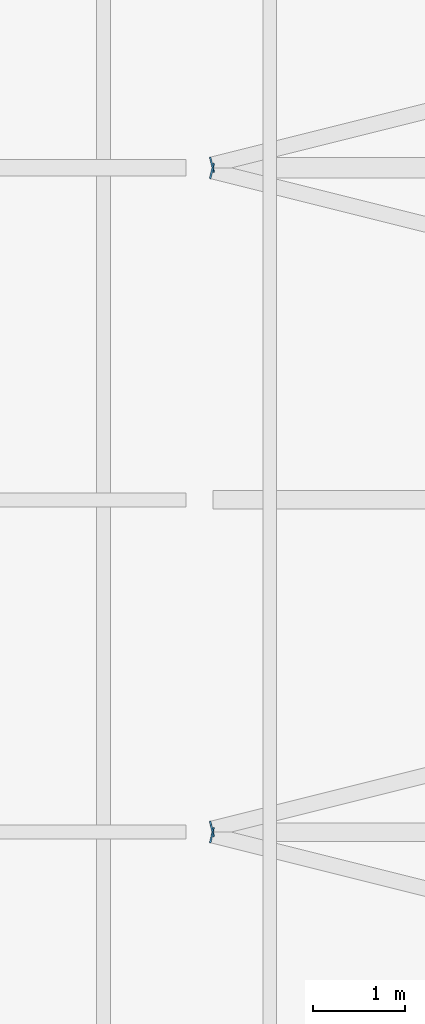
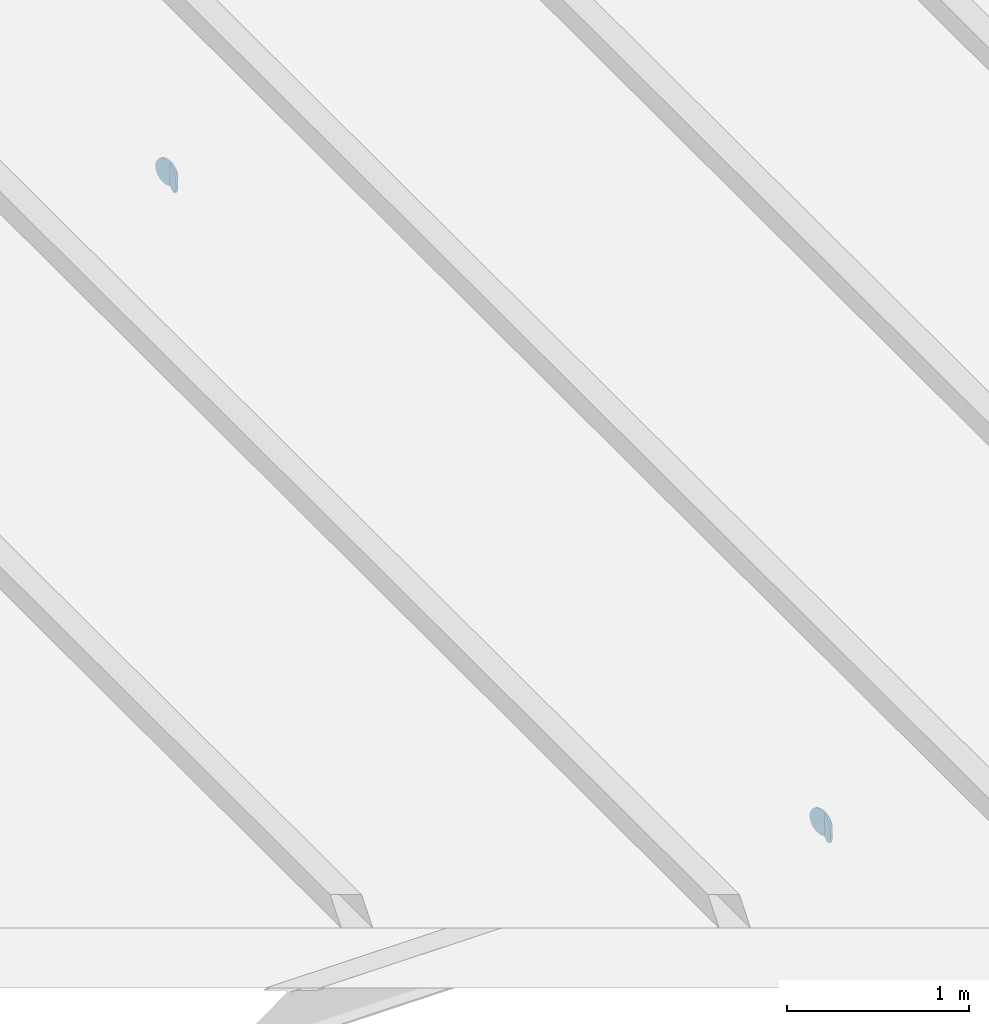
# One storey, part 69 of 120: 4 discrete accessories.
"""IFC4 building model written with IfcOpenShell, lengths in metres."""

from ifc_helpers import new_model, si_unit, direction, frame, origin, origin_2d, place, context, subcontext, project, spatial, circle, extrude, material, layer, layer_set, type_object, element, save


model = new_model("IFC4")

# Units and contexts
model_context = context("Model", 3, precision=1e-05, world=origin(), true_north=direction((0.0, 1.0)))
body_context = subcontext(model_context, "Body", "Model", "MODEL_VIEW")
ifc_project = project(units=[si_unit("LENGTHUNIT", "METRE"), si_unit("AREAUNIT", "SQUARE_METRE"), si_unit("VOLUMEUNIT", "CUBIC_METRE"), si_unit("PLANEANGLEUNIT", "RADIAN"), si_unit("MASSUNIT", "GRAM", prefix="KILO")], contexts=[model_context])

# Site, building, storey
site_placement = place(None, origin())
site = spatial("IfcSite", under=ifc_project, at=site_placement, CompositionType="ELEMENT")
building_placement = place(site_placement, origin())
building = spatial("IfcBuilding", under=site, at=building_placement, Name="Kupolbacken Congress Centre", CompositionType="ELEMENT")
storey_placement = place(building_placement, frame((0.0, 0.0, 21.60009765625)))
storey = spatial("IfcBuildingStorey", under=building, at=storey_placement, Name="L06", CompositionType="ELEMENT", Elevation=21.60009765625)

# Discrete accessories
ifc_material = material(Name="Steel S355", Category="steel")
ifc_layer = layer(ifc_material, 0.011962890625)
ifc_layer_set = layer_set([ifc_layer], Name="Steel S355")
discrete_accessory_type = type_object("IfcDiscreteAccessoryType", Name="EC2 tube end cap plate 168 dia x 12", PredefinedType="BRACKET", material=ifc_layer_set)
for number, where, z_axis, x_axis, name in (
    (1, (93.74072265625, 46.764892578125, -0.084228515625), (-0.974732318528, 0.223376156329, 0.0), (-0.223376156329, -0.974732318528, 0.0), "End cap plate HR/RB/01-00 B"),
    (2, (93.74072265625, 46.835205078125, -0.084228515625), (-0.970142500145, -0.242535625036, 0.0), (0.242535625036, -0.970142500145, 0.0), "End cap plate HR/RB/01-01 A"),
    (3, (93.74072265625, 53.96484375, -0.084228515625), (-0.970142500145, 0.242535625036, 0.0), (-0.242535625036, -0.970142500145, 0.0), "End cap plate HR/RB/01-02 B"),
    (4, (93.74072265625, 54.03515625, -0.084228515625), (-0.970142500145, -0.242535625036, 0.0), (0.242535625036, -0.970142500145, 0.0), "End cap plate HR/RB/01-03 A"),
):
    element("IfcDiscreteAccessory", number, at=place(storey_placement, frame(where, z_axis=z_axis, x_axis=x_axis)), inside=storey, type_object=discrete_accessory_type, Name=name, PredefinedType="BRACKET", context=body_context, shape_type="SweptSolid", body=[
        extrude(circle(Radius=0.084228515625, at=origin_2d()), origin(), (0.0, 0.0, 1.0), 0.011962890625),
    ])

save(model, "model.ifc")
